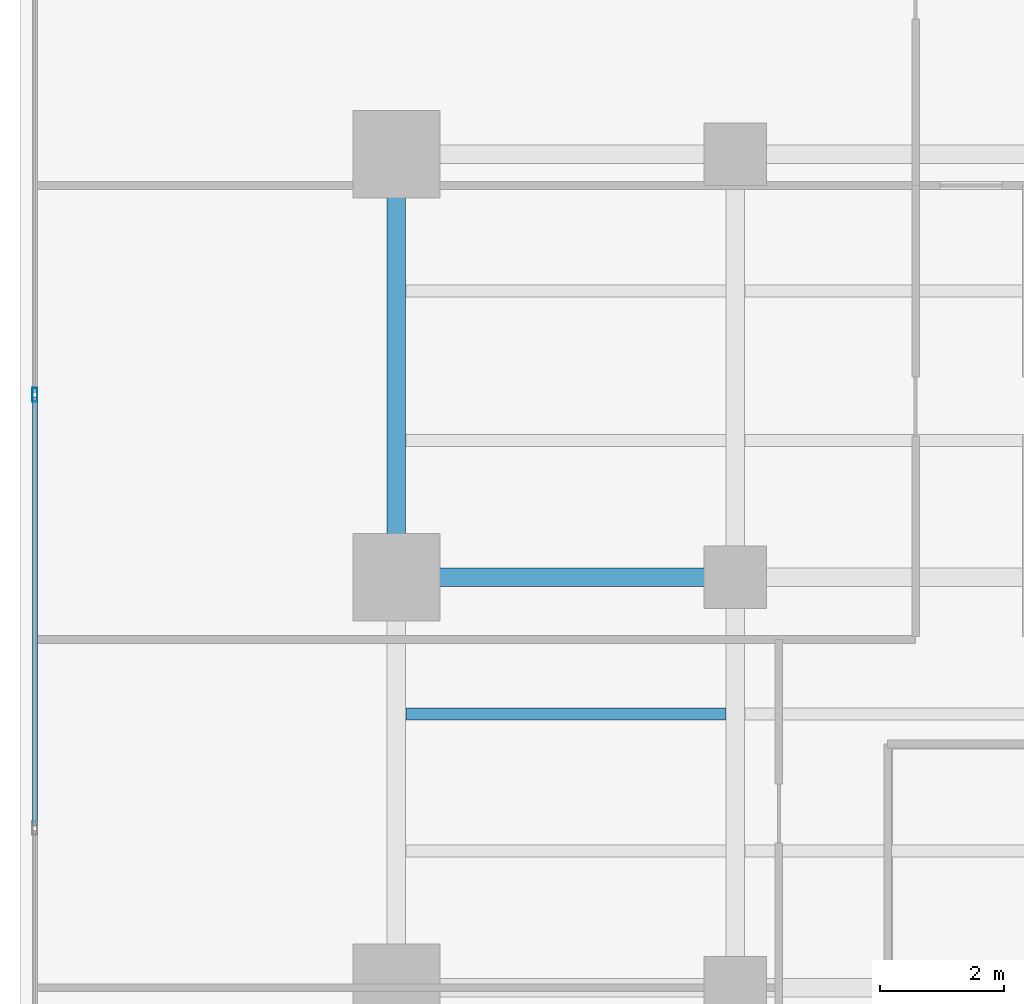
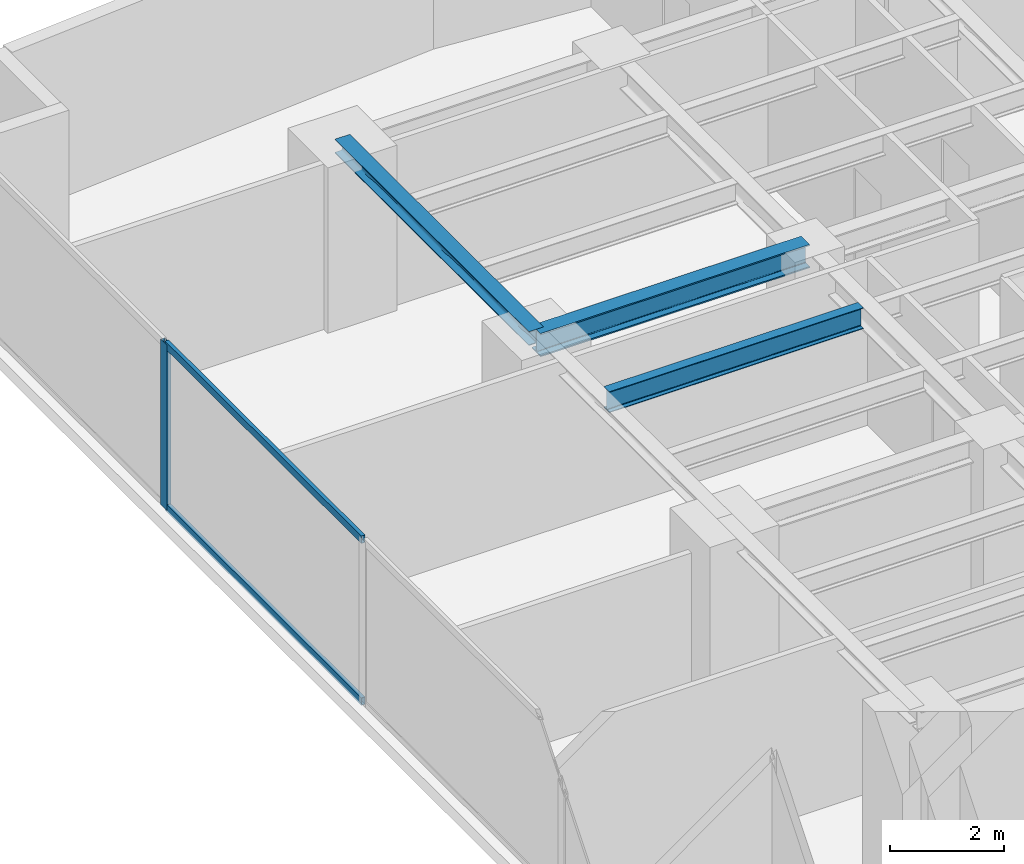
# One storey, part 14 of 26: 3 beams, 3 members, 1 element without a shape of its own.
"""IFC4 building model written with IfcOpenShell, lengths in metres."""

from ifc_helpers import new_model, si_unit, direction, frame, origin, origin_with_axes, origin_2d, place, context, subcontext, project, spatial, hollow_rectangle, i_section, extrude, source, transform, mapped, material, layer, layer_set, material_profile, profile_set, type_object, element, aggregate, save


model = new_model("IFC4")

# Units and contexts
model_context = context("Model", 3, precision=1e-05, world=origin(), true_north=direction((0.0, 1.0)))
body_context = subcontext(model_context, "Body", "Model", "MODEL_VIEW")
ifc_project = project(units=[si_unit("LENGTHUNIT", "METRE"), si_unit("AREAUNIT", "SQUARE_METRE"), si_unit("VOLUMEUNIT", "CUBIC_METRE"), si_unit("PLANEANGLEUNIT", "RADIAN"), si_unit("MASSUNIT", "GRAM", prefix="KILO")], contexts=[model_context])

# Site, building, storey
site_placement = place(None, origin())
site = spatial("IfcSite", under=ifc_project, at=site_placement, CompositionType="ELEMENT")
building_placement = place(site_placement, origin())
building = spatial("IfcBuilding", under=site, at=building_placement, Name="Kolvaren Waterfront Exchange", CompositionType="ELEMENT")
storey_placement = place(building_placement, frame((0.0, 0.0, 125.89990234375)))
storey = spatial("IfcBuildingStorey", under=building, at=storey_placement, Name="L32", CompositionType="ELEMENT", Elevation=125.89990234375)

# Beams
ifc_material_1 = material(Name="Steel S355", Category="steel")
ifc_material_profile_1 = material_profile(ifc_material_1, i_section(OverallWidth=0.300048828125, OverallDepth=0.300048828125, WebThickness=0.010986328125, FlangeThickness=0.01904296875, FilletRadius=0.027099609375, at=origin_2d()), Name="HEB300")
ifc_profile_set_1 = profile_set([ifc_material_profile_1], Name="Steel S355")
beam_type_1 = type_object("IfcBeamType", Name="STR-BM-HEB300", PredefinedType="SPANDREL", material=ifc_profile_set_1)
beam_1_placement = place(storey_placement, frame((7.449951171875, 37.800048828125, 3.39013671875), z_axis=(0.0, 1.0, 0.0), x_axis=(-1.0, 0.0, 0.0)))
element("IfcBeam", 1, at=beam_1_placement, inside=storey, type_object=beam_type_1, Name="L32 north-arm edge beam 3", PredefinedType="SPANDREL", context=body_context, shape_type="SweptSolid", body=[
    extrude(i_section(OverallWidth=0.300048828125, OverallDepth=0.300048828125, WebThickness=0.010986328125, FlangeThickness=0.01904296875, FilletRadius=0.027099609375, at=origin_2d()), origin(), (0.0, 0.0, 1.0), 6.800048828125),
])
ifc_material_profile_2 = material_profile(ifc_material_1, i_section(OverallWidth=0.300048828125, OverallDepth=0.5, WebThickness=0.014404296875, FlangeThickness=0.028076171875, FilletRadius=0.027099609375, at=origin_2d()), Name="HEB500")
ifc_profile_set_2 = profile_set([ifc_material_profile_2], Name="Steel S355")
beam_type_2 = type_object("IfcBeamType", Name="STR-BM-HEB500", PredefinedType="BEAM", material=ifc_profile_set_2)
beam_2_placement = place(storey_placement, frame((7.449951171875, 37.800048828125, 3.2900390625), z_axis=(1.0, 0.0, 0.0), x_axis=(0.0, 1.0, 0.0)))
element("IfcBeam", 2, at=beam_2_placement, inside=storey, type_object=beam_type_2, Name="L32 north-arm girder 3A", PredefinedType="BEAM", context=body_context, shape_type="SweptSolid", body=[
    extrude(i_section(OverallWidth=0.300048828125, OverallDepth=0.5, WebThickness=0.014404296875, FlangeThickness=0.028076171875, FilletRadius=0.027099609375, at=origin_2d()), origin(), (0.0, 0.0, 1.0), 5.449951171875),
])
ifc_material_profile_3 = material_profile(ifc_material_1, i_section(OverallWidth=0.18994140625, OverallDepth=0.449951171875, WebThickness=0.009521484375, FlangeThickness=0.0146484375, FilletRadius=0.02099609375, at=origin_2d()), Name="IPE450")
ifc_profile_set_3 = profile_set([ifc_material_profile_3], Name="Steel S355")
beam_type_3 = type_object("IfcBeamType", Name="STR-BM-IPE450", PredefinedType="JOIST", material=ifc_profile_set_3)
beam_3_placement = place(storey_placement, frame((7.60205078125, 35.60009765625, 3.315185546875), z_axis=(1.0, 0.0, 0.0), x_axis=(0.0, 1.0, 0.0)))
element("IfcBeam", 3, at=beam_3_placement, inside=storey, type_object=beam_type_3, Name="L32 north-arm composite joist 4A", PredefinedType="JOIST", context=body_context, shape_type="SweptSolid", body=[
    extrude(i_section(OverallWidth=0.18994140625, OverallDepth=0.449951171875, WebThickness=0.009521484375, FlangeThickness=0.0146484375, FilletRadius=0.02099609375, at=origin_2d()), origin(), (0.0, 0.0, 1.0), 5.14599609375),
])

# Curtain wall, members
ifc_material_2 = material(Name="Anodised aluminium 6063-T6", Category="aluminium")
ifc_layer = layer(ifc_material_2, 0.219970703125, Name="Anodised aluminium 6063-T6")
ifc_layer_set = layer_set([ifc_layer], Name="Anodised aluminium 6063-T6")
curtain_wall_type = type_object("IfcCurtainWallType", Name="ARC-CW-SYS2", PredefinedType="USERDEFINED", material=ifc_layer_set)
curtain_wall_placement = place(storey_placement, origin())
curtain_wall = element("IfcCurtainWall", 4, at=curtain_wall_placement, inside=storey, type_object=curtain_wall_type, Name="L32 stick curtain wall CW2 (CW-L32-W)", ObjectType="STICK CURTAIN WALL", PredefinedType="USERDEFINED")
ifc_material_profile_4 = material_profile(ifc_material_2, hollow_rectangle(XDim=0.080078125, YDim=0.219970703125, WallThickness=0.0048828125, at=origin_2d()), Name="ALU-MUL-220x80x5")
ifc_profile_set_4 = profile_set([ifc_material_profile_4], Name="Anodised aluminium 6063-T6")
member_type_1 = type_object("IfcMemberType", Name="ARC-CWM-220", PredefinedType="MULLION", material=ifc_profile_set_4)
shared_shape_1 = source(origin_with_axes(), body_context, "Body", "SweptSolid", [
    extrude(hollow_rectangle(XDim=0.080078125, YDim=0.219970703125, WallThickness=0.0048828125, at=origin_2d()), origin(), (0.0, 0.0, 1.0), 3.5400390625),
])
member_1_placement = place(storey_placement, frame((1.639892578125, 40.7333984375, 0.0), z_axis=(0.0, 0.0, 1.0), x_axis=(-1.0, 0.0, 0.0)))
member_1 = element("IfcMember", 5, at=member_1_placement, type_object=member_type_1, Name="CW2 mullion 6", PredefinedType="MULLION", context=body_context, shape_type="MappedRepresentation", body=[
    mapped(shared_shape_1, transform((0.0, 0.0, 0.0), x_axis=(1.0, 0.0, 0.0), y_axis=(0.0, 1.0, 0.0), z_axis=(0.0, 0.0, 1.0), scale=1.0)),
])
ifc_material_profile_5 = material_profile(ifc_material_2, hollow_rectangle(XDim=0.074951171875, YDim=0.159912109375, WallThickness=0.00439453125, at=origin_2d()), Name="ALU-TRN-160x75x4.5")
ifc_profile_set_5 = profile_set([ifc_material_profile_5], Name="Anodised aluminium 6063-T6")
member_type_2 = type_object("IfcMemberType", Name="ARC-CWT-160", PredefinedType="USERDEFINED", material=ifc_profile_set_5)
shared_shape_2 = source(origin_with_axes(), body_context, "Body", "SweptSolid", [
    extrude(hollow_rectangle(XDim=0.074951171875, YDim=0.159912109375, WallThickness=0.00439453125, at=origin_2d()), origin(), (0.0, 0.0, 1.0), 6.88671875),
])
member_2_placement = place(storey_placement, frame((1.639892578125, 33.806640625, 0.03759765625), z_axis=(0.0, 1.0, 0.0), x_axis=(-1.0, 0.0, 0.0)))
member_2 = element("IfcMember", 6, at=member_2_placement, type_object=member_type_2, Name="CW2 transom 5.1", ObjectType="TRANSOM", PredefinedType="USERDEFINED", context=body_context, shape_type="MappedRepresentation", body=[
    mapped(shared_shape_2, transform((0.0, 0.0, 0.0), x_axis=(1.0, 0.0, 0.0), y_axis=(0.0, 1.0, 0.0), z_axis=(0.0, 0.0, 1.0), scale=1.0)),
])
member_3_placement = place(storey_placement, frame((1.639892578125, 33.806640625, 3.502685546875), z_axis=(0.0, 1.0, 0.0), x_axis=(-1.0, 0.0, 0.0)))
member_3 = element("IfcMember", 7, at=member_3_placement, type_object=member_type_2, Name="CW2 transom 5.2", ObjectType="TRANSOM", PredefinedType="USERDEFINED", context=body_context, shape_type="MappedRepresentation", body=[
    mapped(shared_shape_2, transform((0.0, 0.0, 0.0), x_axis=(1.0, 0.0, 0.0), y_axis=(0.0, 1.0, 0.0), z_axis=(0.0, 0.0, 1.0), scale=1.0)),
])
aggregate(curtain_wall, [member_1, member_2, member_3])

save(model, "model.ifc")
